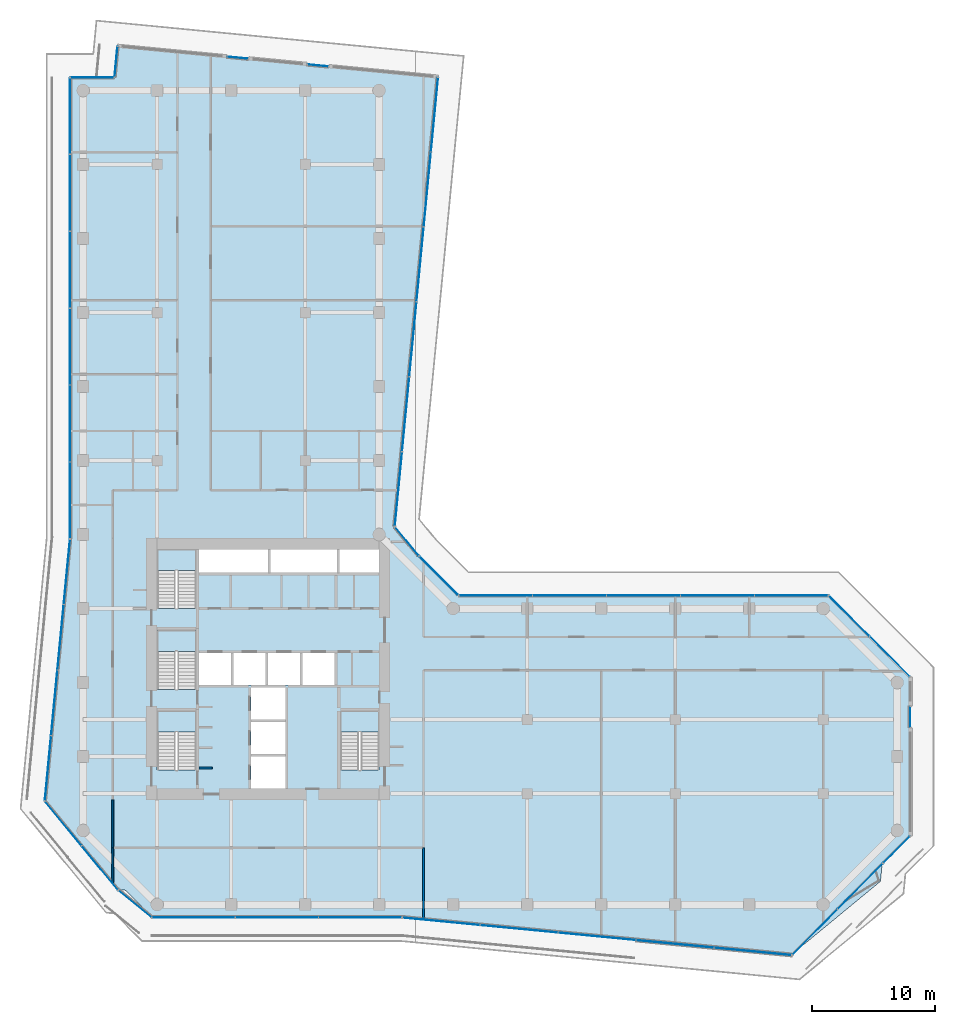
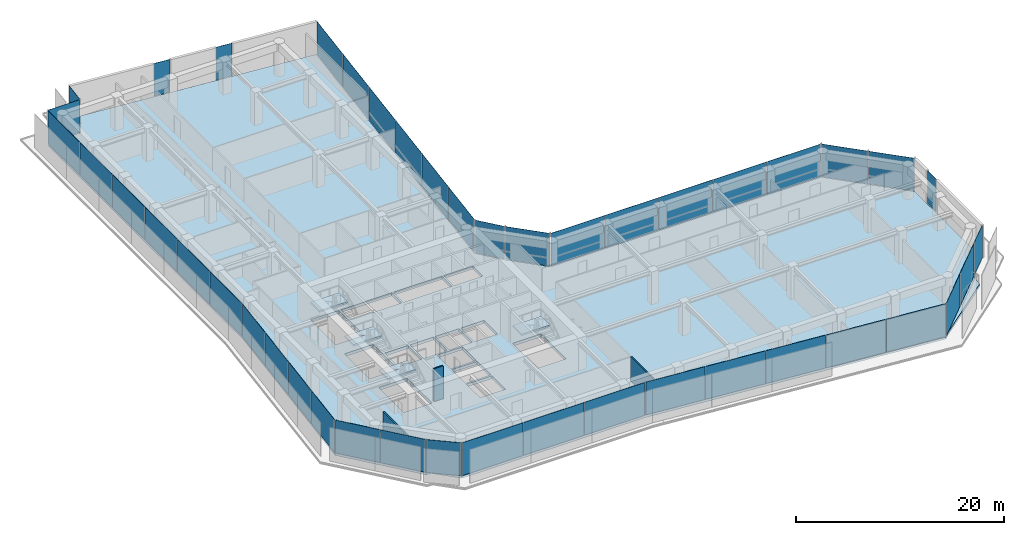
# One storey, part 24 of 31: 44 plates, 5 slabs, 4 walls, 22 elements without a shape of their own.
"""IFC4 building model written with IfcOpenShell, lengths in metres."""

import ifcopenshell
import ifcopenshell.guid

model = None  # the IFC model being written
_history = None  # IfcOwnerHistory: only IFC2X3 demands one
_inside = {}  # id of a spatial element -> (the spatial element, [elements in it])
_under = {}  # id of a project, library or spatial element -> (it, [spatial elements below it])
_declared = {}  # id of a project -> (the project, [libraries it declares])
_typed = {}  # id of a type object -> (the type object, [elements of that type])
_made_of = {}  # id of a material, layer set ... -> (it, [elements and type objects made of it])


def new_model(schema):
    """Start an empty IFC model of exactly this schema.

    Asked for "IFC4X3", IfcOpenShell would pick the latest addendum, in which some entities
    have other attributes; the version numbers below select the first issue.
    IFC2X3 requires an IfcOwnerHistory on every rooted entity: one is made here for all.
    """
    global model, _history
    if schema == "IFC4X3":
        model = ifcopenshell.file(schema_version=(4, 3, 0, 0))
    else:
        model = ifcopenshell.file(schema=schema)
    _inside.clear()
    _under.clear()
    _declared.clear()
    _typed.clear()
    _made_of.clear()
    _history = None
    if model.schema == "IFC2X3":
        org = make("IfcOrganization", Name="unknown")
        user = make(
            "IfcPersonAndOrganization",
            ThePerson=make("IfcPerson", FamilyName="unknown"),
            TheOrganization=org,
        )
        app = make(
            "IfcApplication",
            ApplicationDeveloper=org,
            Version="unknown",
            ApplicationFullName="unknown",
            ApplicationIdentifier="unknown",
        )
        _history = make(
            "IfcOwnerHistory",
            OwningUser=user,
            OwningApplication=app,
            ChangeAction="ADDED",
            CreationDate=0,
        )
    return model


def make(cls, **values):
    """One entity of the class cls with the attributes given. An attribute that is None is left unset."""
    return model.create_entity(
        cls, **{name: value for name, value in values.items() if value is not None}
    )


def rooted(cls, **values):
    """An entity with a GlobalId (a new one), such as an element, a storey or a relation."""
    return make(cls, GlobalId=ifcopenshell.guid.new(), OwnerHistory=_history, **values)


def si_unit(unit_type, name, prefix=None):
    """IfcSIUnit, for example si_unit("LENGTHUNIT", "METRE", prefix="MILLI")."""
    return make("IfcSIUnit", UnitType=unit_type, Prefix=prefix, Name=name)


def assignment(units):
    """IfcUnitAssignment: the units of a project."""
    return None if units is None else make("IfcUnitAssignment", Units=units)


def point(xyz):
    """IfcCartesianPoint."""
    return None if xyz is None else make("IfcCartesianPoint", Coordinates=xyz)


def direction(xyz):
    """IfcDirection."""
    return None if xyz is None else make("IfcDirection", DirectionRatios=xyz)


def frame(location, z_axis=None, x_axis=None):
    """IfcAxis2Placement3D, a coordinate frame: its origin and axes. An axis left out is left unset."""
    return make(
        "IfcAxis2Placement3D",
        Location=point(location),
        Axis=direction(z_axis),
        RefDirection=direction(x_axis),
    )


def frame_2d(location, x_axis=None):
    """IfcAxis2Placement2D, a coordinate frame in the plane: its origin and x axis."""
    return make(
        "IfcAxis2Placement2D", Location=point(location), RefDirection=direction(x_axis)
    )


def origin():
    """The frame at (0, 0, 0) with its axes left unset."""
    return frame((0.0, 0.0, 0.0))


def origin_2d():
    """The frame at (0, 0) in the plane with its x axis left unset."""
    return frame_2d((0.0, 0.0))


def place(relative_to, where):
    """IfcLocalPlacement: puts the frame where relative to a parent placement (None: the world)."""
    return make(
        "IfcLocalPlacement", PlacementRelTo=relative_to, RelativePlacement=where
    )


def context(
    kind, dimensions, precision=None, world=None, true_north=None, identifier=None
):
    """IfcGeometricRepresentationContext, for example the 3D "Model" context."""
    return make(
        "IfcGeometricRepresentationContext",
        ContextIdentifier=identifier,
        ContextType=kind,
        CoordinateSpaceDimension=dimensions,
        Precision=precision,
        WorldCoordinateSystem=world,
        TrueNorth=true_north,
    )


def subcontext(parent, identifier, kind, view, scale=None):
    """IfcGeometricRepresentationSubContext, for example "Body" below "Model"."""
    return make(
        "IfcGeometricRepresentationSubContext",
        ContextIdentifier=identifier,
        ContextType=kind,
        ParentContext=parent,
        TargetScale=scale,
        TargetView=view,
    )


def project(units=None, contexts=None):
    """IfcProject with its units and contexts."""
    return rooted(
        "IfcProject",
        Name="project",
        RepresentationContexts=contexts,
        UnitsInContext=assignment(units),
    )


def spatial(cls, under=None, at=None, **own):
    """A site, building, storey or space (cls), placed at a placement, below another one or the project."""
    s = rooted(cls, ObjectPlacement=at, **own)
    if under is not None:
        _under.setdefault(under.id(), (under, []))[1].append(s)
    return s


def polyline(points):
    """IfcPolyline through the points."""
    return make("IfcPolyline", Points=[point(p) for p in points])


def profile(cls, at=None, kind="AREA", **sizes):
    """A parametric profile (cls). Its sizes go by their IFC names, for example OverallWidth=200.0."""
    return make(cls, ProfileType=kind, Position=at, **sizes)


def rectangle(**sizes):
    """IfcRectangleProfileDef."""
    return profile("IfcRectangleProfileDef", **sizes)


def outline(outer, holes=None, kind="AREA"):
    """IfcArbitraryClosedProfileDef: a profile drawn as a closed curve; with holes, ...WithVoids."""
    if holes is None:
        return make("IfcArbitraryClosedProfileDef", ProfileType=kind, OuterCurve=outer)
    return make(
        "IfcArbitraryProfileDefWithVoids",
        ProfileType=kind,
        OuterCurve=outer,
        InnerCurves=holes,
    )


def extrude(swept, where, along, depth):
    """IfcExtrudedAreaSolid: the profile swept, set in the frame where, extruded along a direction by depth."""
    return make(
        "IfcExtrudedAreaSolid",
        SweptArea=swept,
        Position=where,
        ExtrudedDirection=direction(along),
        Depth=depth,
    )


def shape(context_of_items, identifier, shape_type, items):
    """IfcShapeRepresentation: the items that make up one representation, for example the "Body"."""
    return make(
        "IfcShapeRepresentation",
        ContextOfItems=context_of_items,
        RepresentationIdentifier=identifier,
        RepresentationType=shape_type,
        Items=items,
    )


def material(Name=None, Category=None):
    """IfcMaterial."""
    return make("IfcMaterial", Name=Name, Category=Category)


def layer(
    of_material, thickness, ventilated=None, Name=None, Category=None, Priority=None
):
    """IfcMaterialLayer: one layer of a wall or slab, of a material (None: an air gap)."""
    return make(
        "IfcMaterialLayer",
        Material=of_material,
        LayerThickness=thickness,
        IsVentilated=ventilated,
        Name=Name,
        Category=Category,
        Priority=Priority,
    )


def layer_set(layers, Name=None):
    """IfcMaterialLayerSet."""
    return make("IfcMaterialLayerSet", MaterialLayers=layers, LayerSetName=Name)


def made_of(thing, what):
    """Note that an element or type object is made of a material, layer set ...; save() writes the relation."""
    if what is not None:
        _made_of.setdefault(what.id(), (what, []))[1].append(thing)
    return thing


def type_object(cls, material=None, **own):
    """A type object (cls), such as IfcWallType, which elements share."""
    return made_of(rooted(cls, **own), material)


def element(
    cls,
    number,
    at=None,
    inside=None,
    cuts=None,
    type_object=None,
    material=None,
    context=None,
    identifier="Body",
    shape_type=None,
    held_by="IfcProductDefinitionShape",
    body=None,
    shapes=None,
    **own,
):
    """One element of the class cls, such as IfcWall. Its Tag is "e" and its number.

    at: its placement. inside: the storey or other place that contains it. cuts: it is an
    opening in that element (IfcRelVoidsElement). A single representation is given by context,
    identifier, shape_type and body (its items); several are given by shapes. held_by: the class
    of the entity that holds the representations. save() writes the other relations.
    """
    e = rooted(cls, Tag="e%d" % number, ObjectPlacement=at, **own)
    if body is not None:
        shapes = [shape(context, identifier, shape_type, body)]
    if shapes is not None:
        e.Representation = make(held_by, Representations=shapes)
    if inside is not None:
        _inside.setdefault(inside.id(), (inside, []))[1].append(e)
    if cuts is not None:
        rooted(
            "IfcRelVoidsElement", RelatingBuildingElement=cuts, RelatedOpeningElement=e
        )
    if type_object is not None:
        _typed.setdefault(type_object.id(), (type_object, []))[1].append(e)
    return made_of(e, material)


def aggregate(whole, parts):
    """IfcRelAggregates: a whole, such as a stair, and the parts it consists of."""
    return rooted("IfcRelAggregates", RelatingObject=whole, RelatedObjects=parts)


def save(model, path):
    """Write the relations noted so far, then the file.

    IfcRelAggregates (storeys below a building ...), IfcRelContainedInSpatialStructure (elements
    in a storey), IfcRelDefinesByType, IfcRelAssociatesMaterial and IfcRelDeclares: one each for
    every whole, place, type object, material and project.
    """
    for whole, parts in _under.values():
        aggregate(whole, parts)
    for where, things in _inside.values():
        rooted(
            "IfcRelContainedInSpatialStructure",
            RelatedElements=things,
            RelatingStructure=where,
        )
    for kind, things in _typed.values():
        rooted("IfcRelDefinesByType", RelatedObjects=things, RelatingType=kind)
    for what, things in _made_of.values():
        rooted("IfcRelAssociatesMaterial", RelatedObjects=things, RelatingMaterial=what)
    for by, libraries in _declared.values():
        rooted("IfcRelDeclares", RelatingContext=by, RelatedDefinitions=libraries)
    model.write(path)


model = new_model("IFC4")

# Units and contexts
model_context = context("Model", 3, precision=1e-05, world=origin(), true_north=direction((0.0, 1.0)))
body_context = subcontext(model_context, "Body", "Model", "MODEL_VIEW")
ifc_project = project(units=[si_unit("LENGTHUNIT", "METRE"), si_unit("AREAUNIT", "SQUARE_METRE"), si_unit("VOLUMEUNIT", "CUBIC_METRE"), si_unit("PLANEANGLEUNIT", "RADIAN"), si_unit("MASSUNIT", "GRAM", prefix="KILO")], contexts=[model_context])

# Site, building, storey
site_placement = place(None, origin())
site = spatial("IfcSite", under=ifc_project, at=site_placement, CompositionType="ELEMENT")
building_placement = place(site_placement, origin())
building = spatial("IfcBuilding", under=site, at=building_placement, Name="Welwitschia Terrace Campus", CompositionType="ELEMENT")
storey_placement = place(building_placement, frame((0.0, 0.0, 29.0)))
storey = spatial("IfcBuildingStorey", under=building, at=storey_placement, Name="L06", CompositionType="ELEMENT", Elevation=29.0)

# Curtain wall, plates
ifc_material_1 = material(Name="Bronze anodised aluminium", Category="aluminium")
ifc_layer_1 = layer(ifc_material_1, 0.1201171875)
ifc_layer_set_1 = layer_set([ifc_layer_1], Name="Bronze anodised aluminium")
curtain_wall_type = type_object("IfcCurtainWallType", Name="Curtain wall CW2 tower 6000", PredefinedType="NOTDEFINED", material=ifc_layer_set_1)
curtain_wall_1_placement = place(storey_placement, origin())
curtain_wall_1 = element("IfcCurtainWall", 1, at=curtain_wall_1_placement, inside=storey, type_object=curtain_wall_type, Name="CW L06.0.0", PredefinedType="NOTDEFINED")
ifc_material_2 = material(Name="Tinted bronze-grey glass", Category="glass")
ifc_layer_2 = layer(ifc_material_2, 0.028076171875)
ifc_layer_set_2 = layer_set([ifc_layer_2], Name="Tinted bronze-grey glass")
plate_type = type_object("IfcPlateType", Name="Glass panel 28 tinted", PredefinedType="CURTAIN_PANEL", material=ifc_layer_set_2)
plate_1_placement = place(storey_placement, frame((-1.3154296875, 22.97265625, 0.0), z_axis=(0.0, 0.0, 1.0), x_axis=(-0.09584575252, -0.995396198367, 0.0)))
plate_1 = element("IfcPlate", 2, at=plate_1_placement, type_object=plate_type, Name="Panel L06.0.0.0", PredefinedType="CURTAIN_PANEL", context=body_context, shape_type="SweptSolid", body=[
    extrude(rectangle(XDim=5.250732421875, YDim=0.028076171875, at=origin_2d()), origin(), (0.0, 0.0, 1.0), 3.85009765625),
])
plate_2_placement = place(storey_placement, frame((-1.825927734375, 17.671630859375, 0.0), z_axis=(0.0, 0.0, 1.0), x_axis=(-0.09584575252, -0.995396198367, 0.0)))
plate_2 = element("IfcPlate", 3, at=plate_2_placement, type_object=plate_type, Name="Panel L06.0.0.1", PredefinedType="CURTAIN_PANEL", context=body_context, shape_type="SweptSolid", body=[
    extrude(rectangle(XDim=5.28076171875, YDim=0.028076171875, at=origin_2d()), origin(), (0.0, 0.0, 1.0), 3.85009765625),
])
plate_3_placement = place(storey_placement, frame((-2.337646484375, 12.35546875, 0.0), z_axis=(0.0, 0.0, 1.0), x_axis=(-0.09584575252, -0.995396198367, 0.0)))
plate_3 = element("IfcPlate", 4, at=plate_3_placement, type_object=plate_type, Name="Panel L06.0.0.2", PredefinedType="CURTAIN_PANEL", context=body_context, shape_type="SweptSolid", body=[
    extrude(rectangle(XDim=5.28076171875, YDim=0.028076171875, at=origin_2d()), origin(), (0.0, 0.0, 1.0), 3.85009765625),
])
plate_4_placement = place(storey_placement, frame((-2.84814453125, 7.054443359375, 0.0), z_axis=(0.0, 0.0, 1.0), x_axis=(-0.09584575252, -0.995396198367, 0.0)))
plate_4 = element("IfcPlate", 5, at=plate_4_placement, type_object=plate_type, Name="Panel L06.0.0.3", PredefinedType="CURTAIN_PANEL", context=body_context, shape_type="SweptSolid", body=[
    extrude(rectangle(XDim=5.250732421875, YDim=0.028076171875, at=origin_2d()), origin(), (0.0, 0.0, 1.0), 3.85009765625),
])
aggregate(curtain_wall_1, [plate_1, plate_2, plate_3, plate_4])

curtain_wall_2_placement = place(storey_placement, origin())
curtain_wall_2 = element("IfcCurtainWall", 6, at=curtain_wall_2_placement, inside=storey, type_object=curtain_wall_type, Name="CW L06.1.0", PredefinedType="NOTDEFINED")
plate_5_placement = place(storey_placement, frame((-1.607177734375, 2.563720703125, 0.0), z_axis=(0.0, 0.0, 1.0), x_axis=(0.636078220278, -0.771624583388, 0.0)))
plate_5 = element("IfcPlate", 7, at=plate_5_placement, type_object=plate_type, Name="Panel L06.1.0.0", PredefinedType="CURTAIN_PANEL", context=body_context, shape_type="SweptSolid", body=[
    extrude(rectangle(XDim=4.5908203125, YDim=0.028076171875, at=origin_2d()), origin(), (0.0, 0.0, 1.0), 3.85009765625),
])
plate_6_placement = place(storey_placement, frame((1.35107421875, -1.02490234375, 0.0), z_axis=(0.0, 0.0, 1.0), x_axis=(0.636078220278, -0.771624583388, 0.0)))
plate_6 = element("IfcPlate", 8, at=plate_6_placement, type_object=plate_type, Name="Panel L06.1.0.1", PredefinedType="CURTAIN_PANEL", context=body_context, shape_type="SweptSolid", body=[
    extrude(rectangle(XDim=4.5908203125, YDim=0.028076171875, at=origin_2d()), origin(), (0.0, 0.0, 1.0), 3.85009765625),
])
aggregate(curtain_wall_2, [plate_5, plate_6])

# Curtain wall, plate
curtain_wall_3_placement = place(storey_placement, origin())
curtain_wall_3 = element("IfcCurtainWall", 9, at=curtain_wall_3_placement, inside=storey, type_object=curtain_wall_type, Name="CW L06.2.0", PredefinedType="NOTDEFINED")
plate_7_placement = place(storey_placement, frame((4.20556640625, -3.9501953125, 0.0), z_axis=(0.0, 0.0, 1.0), x_axis=(0.774476438381, -0.632602755599, 0.0)))
plate_7 = element("IfcPlate", 10, at=plate_7_placement, type_object=plate_type, Name="Panel L06.2.0.0", PredefinedType="CURTAIN_PANEL", context=body_context, shape_type="SweptSolid", body=[
    extrude(rectangle(XDim=3.38232421875, YDim=0.028076171875, at=origin_2d()), origin(), (0.0, 0.0, 1.0), 3.85009765625),
])
aggregate(curtain_wall_3, [plate_7])

# Curtain wall, plates
curtain_wall_4_placement = place(storey_placement, origin())
curtain_wall_4 = element("IfcCurtainWall", 11, at=curtain_wall_4_placement, inside=storey, type_object=curtain_wall_type, Name="CW L06.3.0", PredefinedType="NOTDEFINED")
plate_8_placement = place(storey_placement, frame((8.959716796875, -5.05810546875, 0.0), z_axis=(0.0, 0.0, 1.0), x_axis=(1.0, 0.0, 0.0)))
plate_8 = element("IfcPlate", 12, at=plate_8_placement, type_object=plate_type, Name="Panel L06.3.0.0", PredefinedType="CURTAIN_PANEL", context=body_context, shape_type="SweptSolid", body=[
    extrude(rectangle(XDim=6.67578125, YDim=0.028076171875, at=origin_2d()), origin(), (0.0, 0.0, 1.0), 3.85009765625),
])
plate_9_placement = place(storey_placement, frame((15.71044921875, -5.05810546875, 0.0), z_axis=(0.0, 0.0, 1.0), x_axis=(1.0, 0.0, 0.0)))
plate_9 = element("IfcPlate", 13, at=plate_9_placement, type_object=plate_type, Name="Panel L06.3.0.1", PredefinedType="CURTAIN_PANEL", context=body_context, shape_type="SweptSolid", body=[
    extrude(rectangle(XDim=6.705810546875, YDim=0.028076171875, at=origin_2d()), origin(), (0.0, 0.0, 1.0), 3.85009765625),
])
plate_10_placement = place(storey_placement, frame((22.461181640625, -5.05810546875, 0.0), z_axis=(0.0, 0.0, 1.0), x_axis=(1.0, 0.0, 0.0)))
plate_10 = element("IfcPlate", 14, at=plate_10_placement, type_object=plate_type, Name="Panel L06.3.0.2", PredefinedType="CURTAIN_PANEL", context=body_context, shape_type="SweptSolid", body=[
    extrude(rectangle(XDim=6.67578125, YDim=0.028076171875, at=origin_2d()), origin(), (0.0, 0.0, 1.0), 3.85009765625),
])
aggregate(curtain_wall_4, [plate_8, plate_9, plate_10])

curtain_wall_5_placement = place(storey_placement, origin())
curtain_wall_5 = element("IfcCurtainWall", 15, at=curtain_wall_5_placement, inside=storey, type_object=curtain_wall_type, Name="CW L06.4.0", PredefinedType="NOTDEFINED")
plate_11_placement = place(storey_placement, frame((29.035400390625, -5.36376953125, 0.0), z_axis=(0.0, 0.0, 1.0), x_axis=(0.995396198367, -0.09584575252, 0.0)))
plate_11 = element("IfcPlate", 16, at=plate_11_placement, type_object=plate_type, Name="Panel L06.4.0.0", PredefinedType="CURTAIN_PANEL", context=body_context, shape_type="SweptSolid", body=[
    extrude(rectangle(XDim=6.261962890625, YDim=0.028076171875, at=origin_2d()), origin(), (0.0, 0.0, 1.0), 3.85009765625),
])
plate_12_placement = place(storey_placement, frame((35.34326171875, -5.97119140625, 0.0), z_axis=(0.0, 0.0, 1.0), x_axis=(0.995396198367, -0.09584575252, 0.0)))
plate_12 = element("IfcPlate", 17, at=plate_12_placement, type_object=plate_type, Name="Panel L06.4.0.1", PredefinedType="CURTAIN_PANEL", context=body_context, shape_type="SweptSolid", body=[
    extrude(rectangle(XDim=6.2919921875, YDim=0.028076171875, at=origin_2d()), origin(), (0.0, 0.0, 1.0), 3.85009765625),
])
plate_13_placement = place(storey_placement, frame((41.666015625, -6.580078125, 0.0), z_axis=(0.0, 0.0, 1.0), x_axis=(0.995396198367, -0.09584575252, 0.0)))
plate_13 = element("IfcPlate", 18, at=plate_13_placement, type_object=plate_type, Name="Panel L06.4.0.2", PredefinedType="CURTAIN_PANEL", context=body_context, shape_type="SweptSolid", body=[
    extrude(rectangle(XDim=6.2919921875, YDim=0.028076171875, at=origin_2d()), origin(), (0.0, 0.0, 1.0), 3.85009765625),
])
plate_14_placement = place(storey_placement, frame((47.989013671875, -7.18896484375, 0.0), z_axis=(0.0, 0.0, 1.0), x_axis=(0.995396198367, -0.09584575252, 0.0)))
plate_14 = element("IfcPlate", 19, at=plate_14_placement, type_object=plate_type, Name="Panel L06.4.0.3", PredefinedType="CURTAIN_PANEL", context=body_context, shape_type="SweptSolid", body=[
    extrude(rectangle(XDim=6.2919921875, YDim=0.028076171875, at=origin_2d()), origin(), (0.0, 0.0, 1.0), 3.85009765625),
])
plate_15_placement = place(storey_placement, frame((54.296875, -7.796142578125, 0.0), z_axis=(0.0, 0.0, 1.0), x_axis=(0.995396198367, -0.09584575252, 0.0)))
plate_15 = element("IfcPlate", 20, at=plate_15_placement, type_object=plate_type, Name="Panel L06.4.0.4", PredefinedType="CURTAIN_PANEL", context=body_context, shape_type="SweptSolid", body=[
    extrude(rectangle(XDim=6.261962890625, YDim=0.028076171875, at=origin_2d()), origin(), (0.0, 0.0, 1.0), 3.85009765625),
])
aggregate(curtain_wall_5, [plate_11, plate_12, plate_13, plate_14, plate_15])

curtain_wall_6_placement = place(storey_placement, origin())
curtain_wall_6 = element("IfcCurtainWall", 21, at=curtain_wall_6_placement, inside=storey, type_object=curtain_wall_type, Name="CW L06.5.0", PredefinedType="NOTDEFINED")
plate_16_placement = place(storey_placement, frame((59.325439453125, -6.229736328125, 0.0), z_axis=(0.0, 0.0, 1.0), x_axis=(0.703327283427, 0.710866184586, 0.0)))
plate_16 = element("IfcPlate", 22, at=plate_16_placement, type_object=plate_type, Name="Panel L06.5.0.0", PredefinedType="CURTAIN_PANEL", context=body_context, shape_type="SweptSolid", body=[
    extrude(rectangle(XDim=5.1474609375, YDim=0.028076171875, at=origin_2d()), origin(), (0.0, 0.0, 1.0), 3.85009765625),
])
plate_17_placement = place(storey_placement, frame((62.988037109375, -2.528076171875, 0.0), z_axis=(0.0, 0.0, 1.0), x_axis=(0.703327283427, 0.710866184586, 0.0)))
plate_17 = element("IfcPlate", 23, at=plate_17_placement, type_object=plate_type, Name="Panel L06.5.0.1", PredefinedType="CURTAIN_PANEL", context=body_context, shape_type="SweptSolid", body=[
    extrude(rectangle(XDim=5.1474609375, YDim=0.028076171875, at=origin_2d()), origin(), (0.0, 0.0, 1.0), 3.85009765625),
])
aggregate(curtain_wall_6, [plate_16, plate_17])

# Curtain wall, plate
curtain_wall_7_placement = place(storey_placement, origin())
curtain_wall_7 = element("IfcCurtainWall", 24, at=curtain_wall_7_placement, inside=storey, type_object=curtain_wall_type, Name="CW L06.6.0", PredefinedType="NOTDEFINED")
plate_18_placement = place(storey_placement, frame((65.94921875, 0.453125, 0.0), z_axis=(0.0, 0.0, 1.0), x_axis=(0.707106781187, 0.707106781187, 0.0)))
plate_18 = element("IfcPlate", 25, at=plate_18_placement, type_object=plate_type, Name="Panel L06.6.0.0", PredefinedType="CURTAIN_PANEL", context=body_context, shape_type="SweptSolid", body=[
    extrude(rectangle(XDim=3.01611328125, YDim=0.028076171875, at=origin_2d()), origin(), (0.0, 0.0, 1.0), 3.85009765625),
])
aggregate(curtain_wall_7, [plate_18])

curtain_wall_8_placement = place(storey_placement, origin())
curtain_wall_8 = element("IfcCurtainWall", 26, at=curtain_wall_8_placement, inside=storey, type_object=curtain_wall_type, Name="CW L06.7.S0", PredefinedType="NOTDEFINED")
plate_19_placement = place(storey_placement, frame((67.05810546875, 11.21923828125, 0.0), z_axis=(0.0, 0.0, 1.0), x_axis=(0.0, 1.0, 0.0)))
plate_19 = element("IfcPlate", 27, at=plate_19_placement, type_object=plate_type, Name="Panel L06.7.S0.0", PredefinedType="CURTAIN_PANEL", context=body_context, shape_type="SweptSolid", body=[
    extrude(rectangle(XDim=1.679931640625, YDim=0.028076171875, at=origin_2d()), origin(), (0.0, 0.0, 1.0), 3.85009765625),
])
aggregate(curtain_wall_8, [plate_19])

# Curtain wall, plates
curtain_wall_9_placement = place(storey_placement, origin())
curtain_wall_9 = element("IfcCurtainWall", 28, at=curtain_wall_9_placement, inside=storey, type_object=curtain_wall_type, Name="CW L06.8.0", PredefinedType="NOTDEFINED")
plate_20_placement = place(storey_placement, frame((65.392333984375, 16.103759765625, 0.0), z_axis=(0.0, 0.0, 1.0), x_axis=(-0.707106781187, 0.707106781187, 0.0)))
plate_20 = element("IfcPlate", 29, at=plate_20_placement, type_object=plate_type, Name="Panel L06.8.0.0", PredefinedType="CURTAIN_PANEL", context=body_context, shape_type="SweptSolid", body=[
    extrude(rectangle(XDim=4.5908203125, YDim=0.028076171875, at=origin_2d()), origin(), (0.0, 0.0, 1.0), 3.85009765625),
])
plate_21_placement = place(storey_placement, frame((62.103759765625, 19.392333984375, 0.0), z_axis=(0.0, 0.0, 1.0), x_axis=(-0.707106781187, 0.707106781187, 0.0)))
plate_21 = element("IfcPlate", 30, at=plate_21_placement, type_object=plate_type, Name="Panel L06.8.0.1", PredefinedType="CURTAIN_PANEL", context=body_context, shape_type="SweptSolid", body=[
    extrude(rectangle(XDim=4.5908203125, YDim=0.028076171875, at=origin_2d()), origin(), (0.0, 0.0, 1.0), 3.85009765625),
])
aggregate(curtain_wall_9, [plate_20, plate_21])

curtain_wall_10_placement = place(storey_placement, origin())
curtain_wall_10 = element("IfcCurtainWall", 31, at=curtain_wall_10_placement, inside=storey, type_object=curtain_wall_type, Name="CW L06.9.0", PredefinedType="NOTDEFINED")
plate_22_placement = place(storey_placement, frame((57.42333984375, 21.05810546875, 0.0), z_axis=(0.0, 0.0, 1.0), x_axis=(-1.0, 0.0, 0.0)))
plate_22 = element("IfcPlate", 32, at=plate_22_placement, type_object=plate_type, Name="Panel L06.9.0.0", PredefinedType="CURTAIN_PANEL", context=body_context, shape_type="SweptSolid", body=[
    extrude(rectangle(XDim=5.909912109375, YDim=0.028076171875, at=origin_2d()), origin(), (0.0, 0.0, 1.0), 3.85009765625),
])
plate_23_placement = place(storey_placement, frame((51.438232421875, 21.05810546875, 0.0), z_axis=(0.0, 0.0, 1.0), x_axis=(-1.0, 0.0, 0.0)))
plate_23 = element("IfcPlate", 33, at=plate_23_placement, type_object=plate_type, Name="Panel L06.9.0.1", PredefinedType="CURTAIN_PANEL", context=body_context, shape_type="SweptSolid", body=[
    extrude(rectangle(XDim=5.93994140625, YDim=0.028076171875, at=origin_2d()), origin(), (0.0, 0.0, 1.0), 3.85009765625),
])
plate_24_placement = place(storey_placement, frame((45.438232421875, 21.05810546875, 0.0), z_axis=(0.0, 0.0, 1.0), x_axis=(-1.0, 0.0, 0.0)))
plate_24 = element("IfcPlate", 34, at=plate_24_placement, type_object=plate_type, Name="Panel L06.9.0.2", PredefinedType="CURTAIN_PANEL", context=body_context, shape_type="SweptSolid", body=[
    extrude(rectangle(XDim=5.93994140625, YDim=0.028076171875, at=origin_2d()), origin(), (0.0, 0.0, 1.0), 3.85009765625),
])
plate_25_placement = place(storey_placement, frame((39.438232421875, 21.05810546875, 0.0), z_axis=(0.0, 0.0, 1.0), x_axis=(-1.0, 0.0, 0.0)))
plate_25 = element("IfcPlate", 35, at=plate_25_placement, type_object=plate_type, Name="Panel L06.9.0.3", PredefinedType="CURTAIN_PANEL", context=body_context, shape_type="SweptSolid", body=[
    extrude(rectangle(XDim=5.93994140625, YDim=0.028076171875, at=origin_2d()), origin(), (0.0, 0.0, 1.0), 3.85009765625),
])
plate_26_placement = place(storey_placement, frame((33.453125, 21.05810546875, 0.0), z_axis=(0.0, 0.0, 1.0), x_axis=(-1.0, 0.0, 0.0)))
plate_26 = element("IfcPlate", 36, at=plate_26_placement, type_object=plate_type, Name="Panel L06.9.0.4", PredefinedType="CURTAIN_PANEL", context=body_context, shape_type="SweptSolid", body=[
    extrude(rectangle(XDim=5.909912109375, YDim=0.028076171875, at=origin_2d()), origin(), (0.0, 0.0, 1.0), 3.85009765625),
])
aggregate(curtain_wall_10, [plate_22, plate_23, plate_24, plate_25, plate_26])

# Curtain wall, plate
curtain_wall_11_placement = place(storey_placement, origin())
curtain_wall_11 = element("IfcCurtainWall", 37, at=curtain_wall_11_placement, inside=storey, type_object=curtain_wall_type, Name="CW L06.10.0", PredefinedType="NOTDEFINED")
plate_27_placement = place(storey_placement, frame((28.83837890625, 22.657958984375, 0.0), z_axis=(0.0, 0.0, 1.0), x_axis=(-0.707106781187, 0.707106781187, 0.0)))
plate_27 = element("IfcPlate", 38, at=plate_27_placement, type_object=plate_type, Name="Panel L06.10.0.0", PredefinedType="CURTAIN_PANEL", context=body_context, shape_type="SweptSolid", body=[
    extrude(rectangle(XDim=4.4052734375, YDim=0.028076171875, at=origin_2d()), origin(), (0.0, 0.0, 1.0), 3.85009765625),
])
aggregate(curtain_wall_11, [plate_27])

curtain_wall_12_placement = place(storey_placement, origin())
curtain_wall_12 = element("IfcCurtainWall", 39, at=curtain_wall_12_placement, inside=storey, type_object=curtain_wall_type, Name="CW L06.11.0", PredefinedType="NOTDEFINED")
plate_28_placement = place(storey_placement, frame((26.256591796875, 25.448974609375, 0.0), z_axis=(0.0, 0.0, 1.0), x_axis=(-0.636078220278, 0.771624583388, 0.0)))
plate_28 = element("IfcPlate", 40, at=plate_28_placement, type_object=plate_type, Name="Panel L06.11.0.0", PredefinedType="CURTAIN_PANEL", context=body_context, shape_type="SweptSolid", body=[
    extrude(rectangle(XDim=2.967529296875, YDim=0.028076171875, at=origin_2d()), origin(), (0.0, 0.0, 1.0), 3.85009765625),
])
aggregate(curtain_wall_12, [plate_28])

# Curtain wall, plates
curtain_wall_13_placement = place(storey_placement, origin())
curtain_wall_13 = element("IfcCurtainWall", 41, at=curtain_wall_13_placement, inside=storey, type_object=curtain_wall_type, Name="CW L06.12.0", PredefinedType="NOTDEFINED")
plate_29_placement = place(storey_placement, frame((25.568359375, 29.692626953125, 0.0), z_axis=(0.0, 0.0, 1.0), x_axis=(0.09584575252, 0.995396198367, 0.0)))
plate_29 = element("IfcPlate", 42, at=plate_29_placement, type_object=plate_type, Name="Panel L06.12.0.0", PredefinedType="CURTAIN_PANEL", context=body_context, shape_type="SweptSolid", body=[
    extrude(rectangle(XDim=6.01318359375, YDim=0.028076171875, at=origin_2d()), origin(), (0.0, 0.0, 1.0), 3.85009765625),
])
plate_30_placement = place(storey_placement, frame((26.152099609375, 35.7529296875, 0.0), z_axis=(0.0, 0.0, 1.0), x_axis=(0.09584575252, 0.995396198367, 0.0)))
plate_30 = element("IfcPlate", 43, at=plate_30_placement, type_object=plate_type, Name="Panel L06.12.0.1", PredefinedType="CURTAIN_PANEL", context=body_context, shape_type="SweptSolid", body=[
    extrude(rectangle(XDim=6.043212890625, YDim=0.028076171875, at=origin_2d()), origin(), (0.0, 0.0, 1.0), 3.85009765625),
])
plate_31_placement = place(storey_placement, frame((26.737060546875, 41.828125, 0.0), z_axis=(0.0, 0.0, 1.0), x_axis=(0.09584575252, 0.995396198367, 0.0)))
plate_31 = element("IfcPlate", 44, at=plate_31_placement, type_object=plate_type, Name="Panel L06.12.0.2", PredefinedType="CURTAIN_PANEL", context=body_context, shape_type="SweptSolid", body=[
    extrude(rectangle(XDim=6.043212890625, YDim=0.028076171875, at=origin_2d()), origin(), (0.0, 0.0, 1.0), 3.85009765625),
])
plate_32_placement = place(storey_placement, frame((27.322021484375, 47.9033203125, 0.0), z_axis=(0.0, 0.0, 1.0), x_axis=(0.09584575252, 0.995396198367, 0.0)))
plate_32 = element("IfcPlate", 45, at=plate_32_placement, type_object=plate_type, Name="Panel L06.12.0.3", PredefinedType="CURTAIN_PANEL", context=body_context, shape_type="SweptSolid", body=[
    extrude(rectangle(XDim=6.043212890625, YDim=0.028076171875, at=origin_2d()), origin(), (0.0, 0.0, 1.0), 3.85009765625),
])
plate_33_placement = place(storey_placement, frame((27.906982421875, 53.978515625, 0.0), z_axis=(0.0, 0.0, 1.0), x_axis=(0.09584575252, 0.995396198367, 0.0)))
plate_33 = element("IfcPlate", 46, at=plate_33_placement, type_object=plate_type, Name="Panel L06.12.0.4", PredefinedType="CURTAIN_PANEL", context=body_context, shape_type="SweptSolid", body=[
    extrude(rectangle(XDim=6.043212890625, YDim=0.028076171875, at=origin_2d()), origin(), (0.0, 0.0, 1.0), 3.85009765625),
])
plate_34_placement = place(storey_placement, frame((28.490478515625, 60.038818359375, 0.0), z_axis=(0.0, 0.0, 1.0), x_axis=(0.09584575252, 0.995396198367, 0.0)))
plate_34 = element("IfcPlate", 47, at=plate_34_placement, type_object=plate_type, Name="Panel L06.12.0.5", PredefinedType="CURTAIN_PANEL", context=body_context, shape_type="SweptSolid", body=[
    extrude(rectangle(XDim=6.01318359375, YDim=0.028076171875, at=origin_2d()), origin(), (0.0, 0.0, 1.0), 3.85009765625),
])
aggregate(curtain_wall_13, [plate_29, plate_30, plate_31, plate_32, plate_33, plate_34])

# Curtain wall, plate
curtain_wall_14_placement = place(storey_placement, origin())
curtain_wall_14 = element("IfcCurtainWall", 48, at=curtain_wall_14_placement, inside=storey, type_object=curtain_wall_type, Name="CW L06.13.S0", PredefinedType="NOTDEFINED")
plate_35_placement = place(storey_placement, frame((19.035888671875, 64.030029296875, 0.0), z_axis=(0.0, 0.0, 1.0), x_axis=(-0.995396198367, 0.09584575252, 0.0)))
plate_35 = element("IfcPlate", 49, at=plate_35_placement, type_object=plate_type, Name="Panel L06.13.S0.0", PredefinedType="CURTAIN_PANEL", context=body_context, shape_type="SweptSolid", body=[
    extrude(rectangle(XDim=1.679931640625, YDim=0.028076171875, at=origin_2d()), origin(), (0.0, 0.0, 1.0), 3.85009765625),
])
aggregate(curtain_wall_14, [plate_35])

curtain_wall_15_placement = place(storey_placement, origin())
curtain_wall_15 = element("IfcCurtainWall", 50, at=curtain_wall_15_placement, inside=storey, type_object=curtain_wall_type, Name="CW L06.13.S1", PredefinedType="NOTDEFINED")
plate_36_placement = place(storey_placement, frame((12.537109375, 64.65576171875, 0.0), z_axis=(0.0, 0.0, 1.0), x_axis=(-0.995396198367, 0.09584575252, 0.0)))
plate_36 = element("IfcPlate", 51, at=plate_36_placement, type_object=plate_type, Name="Panel L06.13.S1.0", PredefinedType="CURTAIN_PANEL", context=body_context, shape_type="SweptSolid", body=[
    extrude(rectangle(XDim=1.679931640625, YDim=0.028076171875, at=origin_2d()), origin(), (0.0, 0.0, 1.0), 3.85009765625),
])
aggregate(curtain_wall_15, [plate_36])

curtain_wall_16_placement = place(storey_placement, origin())
curtain_wall_16 = element("IfcCurtainWall", 52, at=curtain_wall_16_placement, inside=storey, type_object=curtain_wall_type, Name="CW L06.14.0", PredefinedType="NOTDEFINED")
plate_37_placement = place(storey_placement, frame((2.66650390625, 64.326171875, 0.0), z_axis=(0.0, 0.0, 1.0), x_axis=(-0.09584575252, -0.995396198367, 0.0)))
plate_37 = element("IfcPlate", 53, at=plate_37_placement, type_object=plate_type, Name="Panel L06.14.0.0", PredefinedType="CURTAIN_PANEL", context=body_context, shape_type="SweptSolid", body=[
    extrude(rectangle(XDim=2.42822265625, YDim=0.028076171875, at=origin_2d()), origin(), (0.0, 0.0, 1.0), 3.85009765625),
])
aggregate(curtain_wall_16, [plate_37])

curtain_wall_17_placement = place(storey_placement, origin())
curtain_wall_17 = element("IfcCurtainWall", 54, at=curtain_wall_17_placement, inside=storey, type_object=curtain_wall_type, Name="CW L06.15.0", PredefinedType="NOTDEFINED")
plate_38_placement = place(storey_placement, frame((0.7431640625, 63.05810546875, 0.0), z_axis=(0.0, 0.0, 1.0), x_axis=(-1.0, 0.0, 0.0)))
plate_38 = element("IfcPlate", 55, at=plate_38_placement, type_object=plate_type, Name="Panel L06.15.0.0", PredefinedType="CURTAIN_PANEL", context=body_context, shape_type="SweptSolid", body=[
    extrude(rectangle(XDim=3.482421875, YDim=0.028076171875, at=origin_2d()), origin(), (0.0, 0.0, 1.0), 3.85009765625),
])
aggregate(curtain_wall_17, [plate_38])

# Curtain wall, plates
curtain_wall_18_placement = place(storey_placement, origin())
curtain_wall_18 = element("IfcCurtainWall", 56, at=curtain_wall_18_placement, inside=storey, type_object=curtain_wall_type, Name="CW L06.16.0", PredefinedType="NOTDEFINED")
plate_39_placement = place(storey_placement, frame((-1.05810546875, 59.92529296875, 0.0), z_axis=(0.0, 0.0, 1.0), x_axis=(0.0, -1.0, 0.0)))
plate_39 = element("IfcPlate", 57, at=plate_39_placement, type_object=plate_type, Name="Panel L06.16.0.0", PredefinedType="CURTAIN_PANEL", context=body_context, shape_type="SweptSolid", body=[
    extrude(rectangle(XDim=6.145263671875, YDim=0.028076171875, at=origin_2d()), origin(), (0.0, 0.0, 1.0), 3.85009765625),
])
plate_40_placement = place(storey_placement, frame((-1.05810546875, 53.704833984375, 0.0), z_axis=(0.0, 0.0, 1.0), x_axis=(0.0, -1.0, 0.0)))
plate_40 = element("IfcPlate", 58, at=plate_40_placement, type_object=plate_type, Name="Panel L06.16.0.1", PredefinedType="CURTAIN_PANEL", context=body_context, shape_type="SweptSolid", body=[
    extrude(rectangle(XDim=6.17529296875, YDim=0.028076171875, at=origin_2d()), origin(), (0.0, 0.0, 1.0), 3.85009765625),
])
plate_41_placement = place(storey_placement, frame((-1.05810546875, 47.469482421875, 0.0), z_axis=(0.0, 0.0, 1.0), x_axis=(0.0, -1.0, 0.0)))
plate_41 = element("IfcPlate", 59, at=plate_41_placement, type_object=plate_type, Name="Panel L06.16.0.2", PredefinedType="CURTAIN_PANEL", context=body_context, shape_type="SweptSolid", body=[
    extrude(rectangle(XDim=6.17529296875, YDim=0.028076171875, at=origin_2d()), origin(), (0.0, 0.0, 1.0), 3.85009765625),
])
plate_42_placement = place(storey_placement, frame((-1.05810546875, 41.234130859375, 0.0), z_axis=(0.0, 0.0, 1.0), x_axis=(0.0, -1.0, 0.0)))
plate_42 = element("IfcPlate", 60, at=plate_42_placement, type_object=plate_type, Name="Panel L06.16.0.3", PredefinedType="CURTAIN_PANEL", context=body_context, shape_type="SweptSolid", body=[
    extrude(rectangle(XDim=6.17529296875, YDim=0.028076171875, at=origin_2d()), origin(), (0.0, 0.0, 1.0), 3.85009765625),
])
plate_43_placement = place(storey_placement, frame((-1.05810546875, 34.998779296875, 0.0), z_axis=(0.0, 0.0, 1.0), x_axis=(0.0, -1.0, 0.0)))
plate_43 = element("IfcPlate", 61, at=plate_43_placement, type_object=plate_type, Name="Panel L06.16.0.4", PredefinedType="CURTAIN_PANEL", context=body_context, shape_type="SweptSolid", body=[
    extrude(rectangle(XDim=6.17529296875, YDim=0.028076171875, at=origin_2d()), origin(), (0.0, 0.0, 1.0), 3.85009765625),
])
plate_44_placement = place(storey_placement, frame((-1.05810546875, 28.7783203125, 0.0), z_axis=(0.0, 0.0, 1.0), x_axis=(0.0, -1.0, 0.0)))
plate_44 = element("IfcPlate", 62, at=plate_44_placement, type_object=plate_type, Name="Panel L06.16.0.5", PredefinedType="CURTAIN_PANEL", context=body_context, shape_type="SweptSolid", body=[
    extrude(rectangle(XDim=6.145263671875, YDim=0.028076171875, at=origin_2d()), origin(), (0.0, 0.0, 1.0), 3.85009765625),
])
aggregate(curtain_wall_18, [plate_39, plate_40, plate_41, plate_42, plate_43, plate_44])

# Stair, slab
ifc_material_3 = material(Name="Concrete C40/50", Category="concrete")
stair_type = type_object("IfcStairType", Name="Stair 24R 175 W1500", PredefinedType="HALF_TURN_STAIR", material=ifc_material_3)
stair_1_placement = place(storey_placement, origin())
stair_1 = element("IfcStair", 63, at=stair_1_placement, inside=storey, type_object=stair_type, Name="L06 Exit stair S1", PredefinedType="HALF_TURN_STAIR")
ifc_material_4 = material(Name="Concrete C40/50", Category="concrete")
ifc_layer_3 = layer(ifc_material_4, 0.199951171875)
ifc_layer_set_3 = layer_set([ifc_layer_3], Name="Concrete C40/50")
slab_type_1 = type_object("IfcSlabType", Name="Stair landing RC", PredefinedType="LANDING", material=ifc_layer_set_3)
slab_1_placement = place(storey_placement, frame((0.0, 0.0, 1.89990234375)))
slab_1 = element("IfcSlab", 64, at=slab_1_placement, type_object=slab_type_1, Name="S1 landing 1", PredefinedType="LANDING", context=body_context, shape_type="SweptSolid", body=[
    extrude(outline(polyline([(9.14990234375, 9.97998046875), (9.14990234375, 11.699951171875), (6.0, 11.699951171875), (6.0, 9.97998046875), (9.14990234375, 9.97998046875)])), origin(), (0.0, 0.0, 1.0), 0.2001953125),
])
aggregate(stair_1, [slab_1])

stair_2_placement = place(storey_placement, origin())
stair_2 = element("IfcStair", 65, at=stair_2_placement, inside=storey, type_object=stair_type, Name="L06 Exit stair S3", PredefinedType="HALF_TURN_STAIR")
slab_2_placement = place(storey_placement, frame((0.0, 0.0, 1.89990234375)))
slab_2 = element("IfcSlab", 66, at=slab_2_placement, type_object=slab_type_1, Name="S3 landing 1", PredefinedType="LANDING", context=body_context, shape_type="SweptSolid", body=[
    extrude(outline(polyline([(9.14990234375, 16.530029296875), (9.14990234375, 18.25), (6.0, 18.25), (6.0, 16.530029296875), (9.14990234375, 16.530029296875)])), origin(), (0.0, 0.0, 1.0), 0.2001953125),
])
aggregate(stair_2, [slab_2])

stair_3_placement = place(storey_placement, origin())
stair_3 = element("IfcStair", 67, at=stair_3_placement, inside=storey, type_object=stair_type, Name="L06 Exit stair S4", PredefinedType="HALF_TURN_STAIR")
slab_3_placement = place(storey_placement, frame((0.0, 0.0, 1.89990234375)))
slab_3 = element("IfcSlab", 68, at=slab_3_placement, type_object=slab_type_1, Name="S4 landing 1", PredefinedType="LANDING", context=body_context, shape_type="SweptSolid", body=[
    extrude(outline(polyline([(9.14990234375, 23.080078125), (9.14990234375, 24.800048828125), (6.0, 24.800048828125), (6.0, 23.080078125), (9.14990234375, 23.080078125)])), origin(), (0.0, 0.0, 1.0), 0.2001953125),
])
aggregate(stair_3, [slab_3])

stair_4_placement = place(storey_placement, origin())
stair_4 = element("IfcStair", 69, at=stair_4_placement, inside=storey, type_object=stair_type, Name="L06 Exit stair S2", PredefinedType="HALF_TURN_STAIR")
slab_4_placement = place(storey_placement, frame((0.0, 0.0, 1.89990234375)))
slab_4 = element("IfcSlab", 70, at=slab_4_placement, type_object=slab_type_1, Name="S2 landing 1", PredefinedType="LANDING", context=body_context, shape_type="SweptSolid", body=[
    extrude(outline(polyline([(24.0, 9.97998046875), (24.0, 11.699951171875), (20.85009765625, 11.699951171875), (20.85009765625, 9.97998046875), (24.0, 9.97998046875)])), origin(), (0.0, 0.0, 1.0), 0.2001953125),
])
aggregate(stair_4, [slab_4])

# Slab
ifc_material_5 = material(Name="Concrete C40/50", Category="concrete")
ifc_layer_4 = layer(ifc_material_5, 0.35009765625)
ifc_layer_set_4 = layer_set([ifc_layer_4], Name="Concrete C40/50")
slab_type_2 = type_object("IfcSlabType", Name="Suspended floor slab 350", PredefinedType="FLOOR", material=ifc_layer_set_4)
slab_5_placement = place(storey_placement, frame((0.0, 0.0, -0.35009765625)))
element("IfcSlab", 71, at=slab_5_placement, inside=storey, type_object=slab_type_2, Name="Floor slab L06", PredefinedType="FLOOR", context=body_context, shape_type="SweptSolid", body=[
    extrude(outline(polyline([(-1.0, 63.0), (2.59716796875, 63.0), (2.8408203125, 65.53125), (28.72119140625, 63.039306640625), (25.214599609375, 26.621826171875), (27.195556640625, 24.21875), (30.414306640625, 21.0), (60.414306640625, 21.0), (67.0, 14.414306640625), (67.0, 1.585693359375), (64.78466796875, -0.62939453125), (64.641357421875, -2.117919921875), (57.454833984375, -8.0419921875), (25.86181640625, -5.0), (5.585693359375, -5.0), (3.42529296875, -2.839599609375), (2.878662109375, -2.786865234375), (-3.04541015625, 4.399658203125), (-1.0, 25.642822265625), (-1.0, 63.0)]), holes=[polyline([(13.60009765625, 8.0), (13.60009765625, 5.39990234375), (16.39990234375, 5.39990234375), (16.39990234375, 8.0), (13.60009765625, 8.0)]), polyline([(9.14990234375, 11.699951171875), (6.0, 11.699951171875), (6.0, 6.902099609375), (9.14990234375, 6.902099609375), (9.14990234375, 11.699951171875)]), polyline([(12.0, 16.39990234375), (9.39990234375, 16.39990234375), (9.39990234375, 13.800048828125), (12.0, 13.800048828125), (12.0, 16.39990234375)]), polyline([(14.800048828125, 16.39990234375), (12.199951171875, 16.39990234375), (12.199951171875, 13.800048828125), (14.800048828125, 13.800048828125), (14.800048828125, 16.39990234375)]), polyline([(9.14990234375, 18.25), (6.0, 18.25), (6.0, 13.451904296875), (9.14990234375, 13.451904296875), (9.14990234375, 18.25)]), polyline([(9.14990234375, 24.800048828125), (6.0, 24.800048828125), (6.0, 20.001953125), (9.14990234375, 20.001953125), (9.14990234375, 24.800048828125)]), polyline([(15.0, 24.800048828125), (9.39990234375, 24.800048828125), (9.39990234375, 22.89990234375), (15.0, 22.89990234375), (15.0, 24.800048828125)]), polyline([(20.85009765625, 11.699951171875), (20.85009765625, 6.902099609375), (24.0, 6.902099609375), (24.0, 11.699951171875), (20.85009765625, 11.699951171875)]), polyline([(16.39990234375, 10.800048828125), (13.60009765625, 10.800048828125), (13.60009765625, 8.199951171875), (16.39990234375, 8.199951171875), (16.39990234375, 10.800048828125)]), polyline([(16.39990234375, 13.60009765625), (13.60009765625, 13.60009765625), (13.60009765625, 11.0), (16.39990234375, 11.0), (16.39990234375, 13.60009765625)]), polyline([(17.60009765625, 16.39990234375), (15.0, 16.39990234375), (15.0, 13.800048828125), (17.60009765625, 13.800048828125), (17.60009765625, 16.39990234375)]), polyline([(20.39990234375, 16.39990234375), (17.800048828125, 16.39990234375), (17.800048828125, 13.800048828125), (20.39990234375, 13.800048828125), (20.39990234375, 16.39990234375)]), polyline([(20.60009765625, 24.800048828125), (15.199951171875, 24.800048828125), (15.199951171875, 22.89990234375), (20.60009765625, 22.89990234375), (20.60009765625, 24.800048828125)]), polyline([(24.0, 24.800048828125), (20.800048828125, 24.800048828125), (20.800048828125, 22.89990234375), (24.0, 22.89990234375), (24.0, 24.800048828125)])]), origin(), (0.0, 0.0, 1.0), 0.35009765625),
])

# Walls
ifc_material_6 = material(Name="Concrete C50/60", Category="concrete")
ifc_layer_5 = layer(ifc_material_6, 0.14990234375)
ifc_layer_set_5 = layer_set([ifc_layer_5], Name="Concrete C50/60")
wall_type_1 = type_object("IfcWallType", Name="Core wall 150 Concrete C50/60", PredefinedType="SHEAR", material=ifc_layer_set_5)
wall_1_placement = place(storey_placement, frame((9.39990234375, 7.074951171875, 0.0), z_axis=(0.0, 0.0, 1.0), x_axis=(1.0, 0.0, 0.0)))
element("IfcWall", 72, at=wall_1_placement, inside=storey, type_object=wall_type_1, Name="Core wall", PredefinedType="SHEAR", context=body_context, shape_type="SweptSolid", body=[
    extrude(rectangle(XDim=1.050048828125, YDim=0.14990234375, at=frame_2d((0.52490234375, 0.0))), origin(), (0.0, 0.0, 1.0), 3.85009765625),
])
ifc_material_7 = material(Name="Gypsum board on steel studs", Category="steel")
ifc_layer_6 = layer(ifc_material_7, 0.14990234375)
ifc_layer_set_6 = layer_set([ifc_layer_6], Name="Gypsum board on steel studs")
wall_type_2 = type_object("IfcWallType", Name="Corridor partition 150 EI 30", PredefinedType="PARTITIONING", material=ifc_layer_set_6)
wall_2_placement = place(storey_placement, frame((2.39990234375, -2.219970703125, 0.0), z_axis=(0.0, 0.0, 1.0), x_axis=(0.0, 1.0, 0.0)))
element("IfcWall", 73, at=wall_2_placement, inside=storey, type_object=wall_type_2, Name="Partition", PredefinedType="PARTITIONING", context=body_context, shape_type="SweptSolid", body=[
    extrude(rectangle(XDim=2.820068359375, YDim=0.14990234375, at=frame_2d((1.41015625, 0.0))), origin(), (0.0, 0.0, 1.0), 2.830078125),
])
wall_3_placement = place(storey_placement, frame((2.39990234375, 0.60009765625, 0.0), z_axis=(0.0, 0.0, 1.0), x_axis=(0.0, 1.0, 0.0)))
element("IfcWall", 74, at=wall_3_placement, inside=storey, type_object=wall_type_2, Name="Partition", PredefinedType="PARTITIONING", context=body_context, shape_type="SweptSolid", body=[
    extrude(rectangle(XDim=3.89990234375, YDim=0.14990234375, at=frame_2d((1.949951171875, 0.0))), origin(), (0.0, 0.0, 1.0), 2.830078125),
])
wall_4_placement = place(storey_placement, frame((27.60009765625, -5.179931640625, 0.0), z_axis=(0.0, 0.0, 1.0), x_axis=(0.0, 1.0, 0.0)))
element("IfcWall", 75, at=wall_4_placement, inside=storey, type_object=wall_type_2, Name="Partition", PredefinedType="PARTITIONING", context=body_context, shape_type="SweptSolid", body=[
    extrude(rectangle(XDim=5.780029296875, YDim=0.14990234375, at=frame_2d((2.89013671875, 0.0))), origin(), (0.0, 0.0, 1.0), 2.830078125),
])

save(model, "model.ifc")
